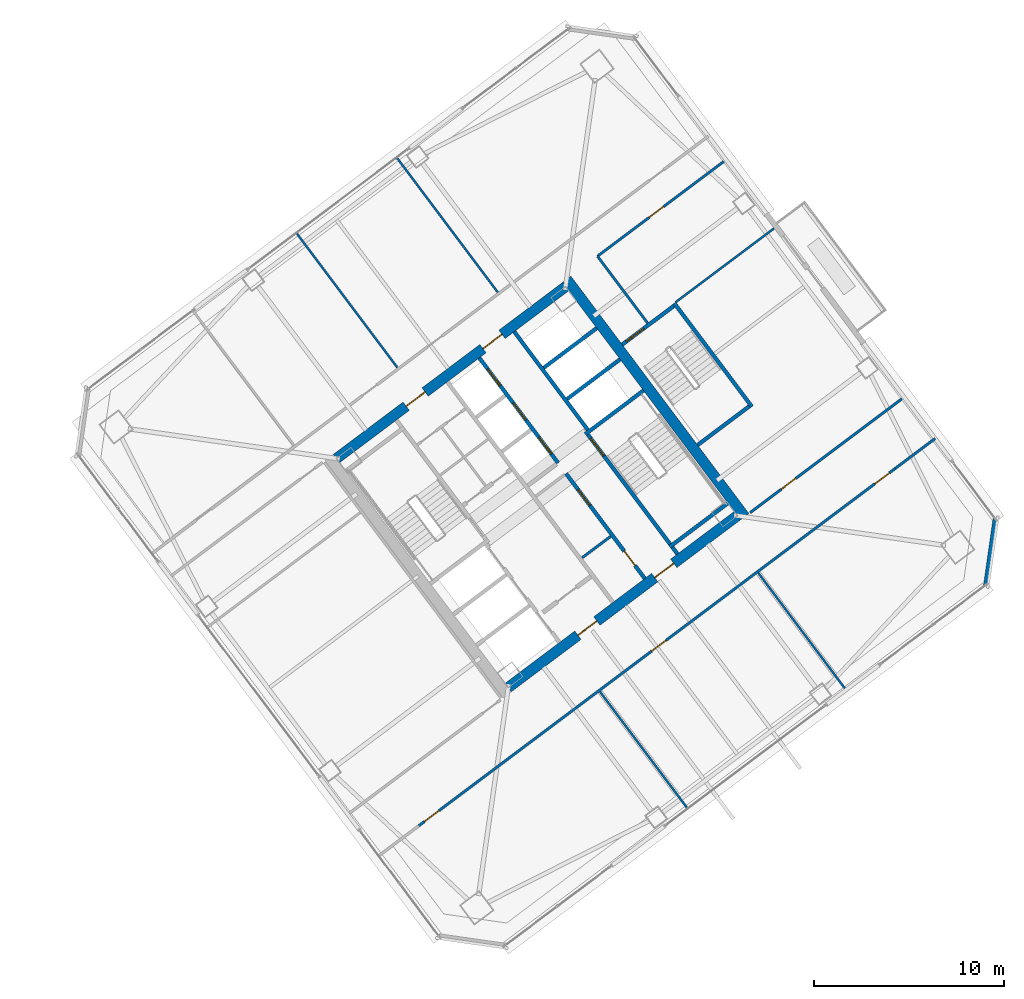
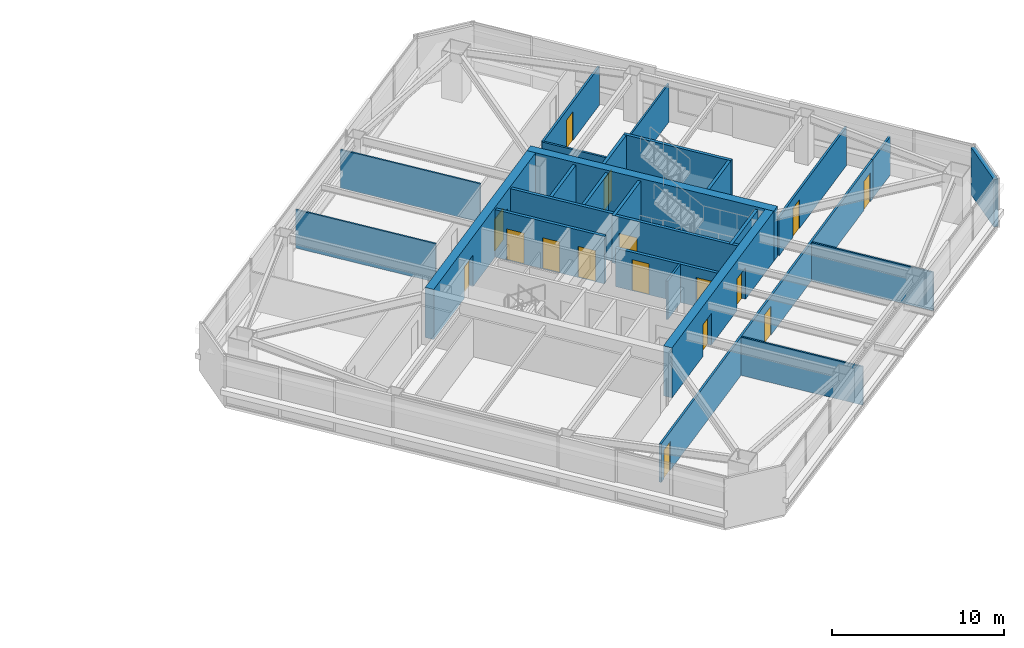
# One storey, part 38 of 46: 26 walls, 16 doors, 16 openings.
"""IFC4 building model written with IfcOpenShell, lengths in metres."""

from ifc_helpers import new_model, si_unit, direction, frame, frame_2d, origin, place, context, subcontext, project, spatial, rectangle, extrude, material, layer, layer_set, type_object, element, fill, save


model = new_model("IFC4")

# Units and contexts
model_context = context("Model", 3, precision=1e-05, world=origin(), true_north=direction((0.0, 1.0)))
body_context = subcontext(model_context, "Body", "Model", "MODEL_VIEW")
ifc_project = project(units=[si_unit("LENGTHUNIT", "METRE"), si_unit("AREAUNIT", "SQUARE_METRE"), si_unit("VOLUMEUNIT", "CUBIC_METRE"), si_unit("PLANEANGLEUNIT", "RADIAN"), si_unit("MASSUNIT", "GRAM", prefix="KILO")], contexts=[model_context])

# Site, building, storey
site_placement = place(None, origin())
site = spatial("IfcSite", under=ifc_project, at=site_placement, CompositionType="ELEMENT")
building_placement = place(site_placement, origin())
building = spatial("IfcBuilding", under=site, at=building_placement, Name="Tashvorn Skyway Center", CompositionType="ELEMENT")
storey_placement = place(building_placement, frame((0.0, 0.0, 132.14990234375)))
storey = spatial("IfcBuildingStorey", under=building, at=storey_placement, Name="L35", CompositionType="ELEMENT", Elevation=132.14990234375)

# Wall
ifc_material_1 = material(Name="Concrete C60/75", Category="concrete")
ifc_layer_1 = layer(ifc_material_1, 0.550048828125)
ifc_layer_set_1 = layer_set([ifc_layer_1], Name="Concrete C60/75")
wall_type_1 = type_object("IfcWallType", Name="WALL-CORE-550", PredefinedType="SHEAR", material=ifc_layer_set_1)
wall_1_placement = place(storey_placement, frame((115.56396484375, 42.923095703125, 0.0), z_axis=(0.0, 0.0, 1.0), x_axis=(0.600005007985, -0.799996243986, 0.0)))
element("IfcWall", 1, at=wall_1_placement, inside=storey, type_object=wall_type_1, Name="Tower 2 L35 East Core Shear Wall", PredefinedType="SHEAR", context=body_context, shape_type="SweptSolid", body=[
    extrude(rectangle(XDim=15.60009765625, YDim=0.550048828125, at=frame_2d((7.800048828125, 0.0))), origin(), (0.0, 0.0, 1.0), 3.550048828125),
])

# Wall, openings, doors
wall_2_placement = place(storey_placement, frame((124.5390625, 30.498046875, 0.0), z_axis=(0.0, 0.0, 1.0), x_axis=(-0.799998054672, -0.600002593761, 0.0)))
wall_2 = element("IfcWall", 2, at=wall_2_placement, inside=storey, type_object=wall_type_1, Name="Tower 2 L35 South Core Shear Wall", PredefinedType="SHEAR", context=body_context, shape_type="SweptSolid", body=[
    extrude(rectangle(XDim=15.06005859375, YDim=0.550048828125, at=frame_2d((7.530029296875, 0.0))), origin(), (0.0, 0.0, 1.0), 3.550048828125),
])
opening_1_placement = place(wall_2_placement, frame((9.22998046875, 0.0, 0.0)))
opening_1 = element("IfcOpeningElement", 3, at=opening_1_placement, cuts=wall_2, Name="Opening D-FFL-1250", PredefinedType="OPENING", context=body_context, shape_type="SweptSolid", body=[
    extrude(rectangle(XDim=1.25, YDim=2.25, at=frame_2d((0.625, 1.125))), frame((0.0, 0.284912109375, 0.0), z_axis=(0.0, -1.0, 0.0), x_axis=(1.0, 0.0, 0.0)), (0.0, 0.0, 1.0), 0.570068359375),
])
opening_2_placement = place(wall_2_placement, frame((4.179931640625, 0.0, 0.0)))
opening_2 = element("IfcOpeningElement", 4, at=opening_2_placement, cuts=wall_2, Name="Opening D-FFL-1250", PredefinedType="OPENING", context=body_context, shape_type="SweptSolid", body=[
    extrude(rectangle(XDim=1.25, YDim=2.25, at=frame_2d((0.625, 1.125))), frame((0.0, 0.284912109375, 0.0), z_axis=(0.0, -1.0, 0.0), x_axis=(1.0, 0.0, 0.0)), (0.0, 0.0, 1.0), 0.570068359375),
])
ifc_material_2 = material(Name="Hollow galvanized steel fire door assembly", Category="steel")
door_type_1 = type_object("IfcDoorType", Name="DOOR-FFL-1250", OperationType="NOTDEFINED", PredefinedType="DOOR", material=ifc_material_2)
door_1_placement = place(opening_1_placement, origin())
door_1 = element("IfcDoor", 5, at=door_1_placement, inside=storey, type_object=door_type_1, Name="Tower 2 L35 Core South Firefighting Exit Door", OperationType="SINGLE_SWING_LEFT", OverallHeight=2.25, OverallWidth=1.25, PredefinedType="DOOR", context=body_context, shape_type="SweptSolid", body=[
    extrude(rectangle(XDim=1.25, YDim=2.25, at=frame_2d((0.625, 1.125))), frame((0.0, 0.02490234375, 0.0), z_axis=(0.0, -1.0, 0.0), x_axis=(1.0, 0.0, 0.0)), (0.0, 0.0, 1.0), 0.050048828125),
])
fill(opening_1, door_1)
door_2_placement = place(opening_2_placement, origin())
door_2 = element("IfcDoor", 6, at=door_2_placement, inside=storey, type_object=door_type_1, Name="Tower 2 L35 Core South Lift Lobby Door", OperationType="SINGLE_SWING_RIGHT", OverallHeight=2.25, OverallWidth=1.25, PredefinedType="DOOR", context=body_context, shape_type="SweptSolid", body=[
    extrude(rectangle(XDim=1.25, YDim=2.25, at=frame_2d((0.625, 1.125))), frame((0.0, 0.02490234375, 0.0), z_axis=(0.0, -1.0, 0.0), x_axis=(1.0, 0.0, 0.0)), (0.0, 0.0, 1.0), 0.050048828125),
])
fill(opening_2, door_2)

wall_3_placement = place(storey_placement, frame((103.4609375, 33.501953125, 0.0), z_axis=(0.0, 0.0, 1.0), x_axis=(0.799998054672, 0.600002593761, 0.0)))
wall_3 = element("IfcWall", 7, at=wall_3_placement, inside=storey, type_object=wall_type_1, Name="Tower 2 L35 North Core Shear Wall", PredefinedType="SHEAR", context=body_context, shape_type="SweptSolid", body=[
    extrude(rectangle(XDim=15.06005859375, YDim=0.550048828125, at=frame_2d((7.530029296875, 0.0))), origin(), (0.0, 0.0, 1.0), 3.550048828125),
])
opening_3_placement = place(wall_3_placement, frame((4.580078125, 0.0, 0.0)))
opening_3 = element("IfcOpeningElement", 8, at=opening_3_placement, cuts=wall_3, Name="Opening D-FFL-1250", PredefinedType="OPENING", context=body_context, shape_type="SweptSolid", body=[
    extrude(rectangle(XDim=1.25, YDim=2.25, at=frame_2d((0.625, 1.125))), frame((0.0, 0.284912109375, 0.0), z_axis=(0.0, -1.0, 0.0), x_axis=(1.0, 0.0, 0.0)), (0.0, 0.0, 1.0), 0.570068359375),
])
opening_4_placement = place(wall_3_placement, frame((9.6298828125, 0.0, 0.0)))
opening_4 = element("IfcOpeningElement", 9, at=opening_4_placement, cuts=wall_3, Name="Opening D-FFL-1250", PredefinedType="OPENING", context=body_context, shape_type="SweptSolid", body=[
    extrude(rectangle(XDim=1.25, YDim=2.25, at=frame_2d((0.625, 1.125))), frame((0.0, 0.284912109375, 0.0), z_axis=(0.0, -1.0, 0.0), x_axis=(1.0, 0.0, 0.0)), (0.0, 0.0, 1.0), 0.570068359375),
])
door_3_placement = place(opening_3_placement, origin())
door_3 = element("IfcDoor", 10, at=door_3_placement, inside=storey, type_object=door_type_1, Name="Tower 2 L35 Core North Service Lobby Door", OperationType="SINGLE_SWING_LEFT", OverallHeight=2.25, OverallWidth=1.25, PredefinedType="DOOR", context=body_context, shape_type="SweptSolid", body=[
    extrude(rectangle(XDim=1.25, YDim=2.25, at=frame_2d((0.625, 1.125))), frame((0.0, 0.02490234375, 0.0), z_axis=(0.0, -1.0, 0.0), x_axis=(1.0, 0.0, 0.0)), (0.0, 0.0, 1.0), 0.050048828125),
])
fill(opening_3, door_3)
door_4_placement = place(opening_4_placement, origin())
door_4 = element("IfcDoor", 11, at=door_4_placement, inside=storey, type_object=door_type_1, Name="Tower 2 L35 Core North Lift Lobby Door", OperationType="SINGLE_SWING_RIGHT", OverallHeight=2.25, OverallWidth=1.25, PredefinedType="DOOR", context=body_context, shape_type="SweptSolid", body=[
    extrude(rectangle(XDim=1.25, YDim=2.25, at=frame_2d((0.625, 1.125))), frame((0.0, 0.02490234375, 0.0), z_axis=(0.0, -1.0, 0.0), x_axis=(1.0, 0.0, 0.0)), (0.0, 0.0, 1.0), 0.050048828125),
])
fill(opening_4, door_4)

# Walls
ifc_material_3 = material(Name="Precast concrete C40/50", Category="concrete")
ifc_layer_2 = layer(ifc_material_3, 0.280029296875)
ifc_layer_set_2 = layer_set([ifc_layer_2], Name="Precast concrete C40/50")
wall_type_2 = type_object("IfcWallType", Name="WALL-EXT-280", PredefinedType="SOLIDWALL", material=ifc_layer_set_2)
wall_4_placement = place(storey_placement, frame((138.1201171875, 30.340087890625, 0.0), z_axis=(0.0, 0.0, 1.0), x_axis=(-0.141421356237, -0.989949493661, 0.0)))
element("IfcWall", 12, at=wall_4_placement, inside=storey, type_object=wall_type_2, Name="Tower 2 L35 SE Precast Chamfer Wall", PredefinedType="SOLIDWALL", context=body_context, shape_type="SweptSolid", body=[
    extrude(rectangle(XDim=3.53564453125, YDim=0.280029296875, at=frame_2d((1.767822265625, 0.0))), origin(), (0.0, 0.0, 1.0), 3.3701171875),
])
ifc_material_4 = material(Name="Gypsum board on cold-formed steel stud framing", Category="steel")
ifc_layer_3 = layer(ifc_material_4, 0.110107421875)
ifc_layer_set_3 = layer_set([ifc_layer_3], Name="Gypsum board on cold-formed steel stud framing")
wall_type_3 = type_object("IfcWallType", Name="WALL-PART-110", PredefinedType="PARTITIONING", material=ifc_layer_set_3)
wall_5_placement = place(storey_placement, frame((106.662109375, 38.283935546875, 0.0), z_axis=(0.0, 0.0, 1.0), x_axis=(-0.6, 0.8, 0.0)))
element("IfcWall", 13, at=wall_5_placement, inside=storey, type_object=wall_type_3, Name="Tower 2 L35 North Suite Partition 2", PredefinedType="PARTITIONING", context=body_context, shape_type="SweptSolid", body=[
    extrude(rectangle(XDim=8.85009765625, YDim=0.110107421875, at=frame_2d((4.425048828125, 0.0))), origin(), (0.0, 0.0, 1.0), 2.72314453125),
])
wall_6_placement = place(storey_placement, frame((111.94189453125, 42.243896484375, 0.0), z_axis=(0.0, 0.0, 1.0), x_axis=(-0.599982344389, 0.800013241404, 0.0)))
element("IfcWall", 14, at=wall_6_placement, inside=storey, type_object=wall_type_3, Name="Tower 2 L35 North Suite Partition 3", PredefinedType="PARTITIONING", context=body_context, shape_type="SweptSolid", body=[
    extrude(rectangle(XDim=8.849853515625, YDim=0.110107421875, at=frame_2d((4.4248046875, 0.0))), origin(), (0.0, 0.0, 1.0), 2.72314453125),
])
wall_7_placement = place(storey_placement, frame((121.927978515625, 15.095947265625, 0.0), z_axis=(0.0, 0.0, 1.0), x_axis=(-0.5999898274, 0.800007629349, 0.0)))
element("IfcWall", 15, at=wall_7_placement, inside=storey, type_object=wall_type_3, Name="Tower 2 L35 South Suite Partition 1", PredefinedType="PARTITIONING", context=body_context, shape_type="SweptSolid", body=[
    extrude(rectangle(XDim=7.679931640625, YDim=0.110107421875, at=frame_2d((3.83984375, 0.0))), origin(), (0.0, 0.0, 1.0), 2.72314453125),
])
wall_8_placement = place(storey_placement, frame((130.248046875, 21.3359375, 0.0), z_axis=(0.0, 0.0, 1.0), x_axis=(-0.600010172309, 0.799992370667, 0.0)))
element("IfcWall", 16, at=wall_8_placement, inside=storey, type_object=wall_type_3, Name="Tower 2 L35 South Suite Partition 2", PredefinedType="PARTITIONING", context=body_context, shape_type="SweptSolid", body=[
    extrude(rectangle(XDim=7.68017578125, YDim=0.110107421875, at=frame_2d((3.840087890625, 0.0))), origin(), (0.0, 0.0, 1.0), 2.72314453125),
])
wall_9_placement = place(storey_placement, frame((126.464111328125, 45.597900390625, 0.0), z_axis=(0.0, 0.0, 1.0), x_axis=(-0.8000181681, -0.599975775102, 0.0)))
element("IfcWall", 17, at=wall_9_placement, inside=storey, type_object=wall_type_3, Name="Tower 2 L35 East Suite Partition 1", PredefinedType="PARTITIONING", context=body_context, shape_type="SweptSolid", body=[
    extrude(rectangle(XDim=6.449951171875, YDim=0.110107421875, at=frame_2d((3.22509765625, 0.0))), origin(), (0.0, 0.0, 1.0), 2.72314453125),
])
ifc_layer_4 = layer(ifc_material_4, 0.135009765625)
ifc_layer_set_4 = layer_set([ifc_layer_4], Name="Gypsum board on cold-formed steel stud framing")
wall_type_4 = type_object("IfcWallType", Name="WALL-PART-135", PredefinedType="PARTITIONING", material=ifc_layer_set_4)
wall_10_placement = place(storey_placement, frame((119.823974609375, 40.617919921875, 0.0), z_axis=(0.0, 0.0, 1.0), x_axis=(-0.599982243973, 0.800013316712, 0.0)))
element("IfcWall", 18, at=wall_10_placement, inside=storey, type_object=wall_type_4, Name="Tower 2 L35 Stair 3 Access Corridor Wall", PredefinedType="PARTITIONING", context=body_context, shape_type="SweptSolid", body=[
    extrude(rectangle(XDim=4.39990234375, YDim=0.135009765625, at=frame_2d((2.199951171875, 0.0))), origin(), (0.0, 0.0, 1.0), 2.72314453125),
])

# Wall, openings, doors
wall_11_placement = place(storey_placement, frame((132.83203125, 32.97412109375, 0.0), z_axis=(0.0, 0.0, 1.0), x_axis=(-0.8, -0.6, 0.0)))
wall_11 = element("IfcWall", 19, at=wall_11_placement, inside=storey, type_object=wall_type_4, Name="Tower 2 L35 South Suite Wall", PredefinedType="PARTITIONING", context=body_context, shape_type="SweptSolid", body=[
    extrude(rectangle(XDim=31.300048828125, YDim=0.135009765625, at=frame_2d((15.64990234375, 0.0))), origin(), (0.0, 0.0, 1.0), 2.72314453125),
])
opening_5_placement = place(wall_11_placement, frame((29.969970703125, 0.0, 0.0)))
opening_5 = element("IfcOpeningElement", 20, at=opening_5_placement, cuts=wall_11, Name="Opening D-INT-950", PredefinedType="OPENING", context=body_context, shape_type="SweptSolid", body=[
    extrude(rectangle(XDim=0.949951171875, YDim=2.050048828125, at=frame_2d((0.47509765625, 1.02490234375))), frame((0.0, 0.077392578125, 0.0), z_axis=(0.0, -1.0, 0.0), x_axis=(1.0, 0.0, 0.0)), (0.0, 0.0, 1.0), 0.155029296875),
])
opening_6_placement = place(wall_11_placement, frame((15.052978515625, 0.0, 0.0)))
opening_6 = element("IfcOpeningElement", 21, at=opening_6_placement, cuts=wall_11, Name="Opening D-INT-950", PredefinedType="OPENING", context=body_context, shape_type="SweptSolid", body=[
    extrude(rectangle(XDim=0.949951171875, YDim=2.050048828125, at=frame_2d((0.47509765625, 1.02490234375))), frame((0.0, 0.077392578125, 0.0), z_axis=(0.0, -1.0, 0.0), x_axis=(1.0, 0.0, 0.0)), (0.0, 0.0, 1.0), 0.155029296875),
])
opening_7_placement = place(wall_11_placement, frame((0.3798828125, 0.0, 0.0)))
opening_7 = element("IfcOpeningElement", 22, at=opening_7_placement, cuts=wall_11, Name="Opening D-INT-950", PredefinedType="OPENING", context=body_context, shape_type="SweptSolid", body=[
    extrude(rectangle(XDim=0.949951171875, YDim=2.050048828125, at=frame_2d((0.47509765625, 1.02490234375))), frame((0.0, 0.077392578125, 0.0), z_axis=(0.0, -1.0, 0.0), x_axis=(1.0, 0.0, 0.0)), (0.0, 0.0, 1.0), 0.155029296875),
])
ifc_material_5 = material(Name="Solid-core architectural oak veneer door")
door_type_2 = type_object("IfcDoorType", Name="DOOR-INT-950", OperationType="NOTDEFINED", PredefinedType="DOOR", material=ifc_material_5)
door_5_placement = place(opening_5_placement, origin())
door_5 = element("IfcDoor", 23, at=door_5_placement, inside=storey, type_object=door_type_2, Name="Tower 2 L35 Conference Room Door", OperationType="SINGLE_SWING_LEFT", OverallHeight=2.050048828125, OverallWidth=0.949951171875, PredefinedType="DOOR", context=body_context, shape_type="SweptSolid", body=[
    extrude(rectangle(XDim=0.949951171875, YDim=2.050048828125, at=frame_2d((0.47509765625, 1.02490234375))), frame((0.0, 0.02490234375, 0.0), z_axis=(0.0, -1.0, 0.0), x_axis=(1.0, 0.0, 0.0)), (0.0, 0.0, 1.0), 0.050048828125),
])
fill(opening_5, door_5)
door_6_placement = place(opening_6_placement, origin())
door_6 = element("IfcDoor", 24, at=door_6_placement, inside=storey, type_object=door_type_2, Name="Tower 2 L35 Design Studio Door", OperationType="SINGLE_SWING_RIGHT", OverallHeight=2.050048828125, OverallWidth=0.949951171875, PredefinedType="DOOR", context=body_context, shape_type="SweptSolid", body=[
    extrude(rectangle(XDim=0.949951171875, YDim=2.050048828125, at=frame_2d((0.47509765625, 1.02490234375))), frame((0.0, 0.02490234375, 0.0), z_axis=(0.0, -1.0, 0.0), x_axis=(1.0, 0.0, 0.0)), (0.0, 0.0, 1.0), 0.050048828125),
])
fill(opening_6, door_6)
door_7_placement = place(opening_7_placement, origin())
door_7 = element("IfcDoor", 25, at=door_7_placement, inside=storey, type_object=door_type_2, Name="Tower 2 L35 Design Studio Door", OperationType="SINGLE_SWING_LEFT", OverallHeight=2.050048828125, OverallWidth=0.949951171875, PredefinedType="DOOR", context=body_context, shape_type="SweptSolid", body=[
    extrude(rectangle(XDim=0.949951171875, YDim=2.050048828125, at=frame_2d((0.47509765625, 1.02490234375))), frame((0.0, 0.02490234375, 0.0), z_axis=(0.0, -1.0, 0.0), x_axis=(1.0, 0.0, 0.0)), (0.0, 0.0, 1.0), 0.050048828125),
])
fill(opening_7, door_7)

# Wall
wall_12_placement = place(storey_placement, frame((132.83203125, 32.97412109375, 0.0), z_axis=(0.0, 0.0, 1.0), x_axis=(0.80002227902, 0.599970293491, 0.0)))
element("IfcWall", 26, at=wall_12_placement, inside=storey, type_object=wall_type_4, Name="Tower 2 L35 South-East Suite North Wall", PredefinedType="PARTITIONING", context=body_context, shape_type="SweptSolid", body=[
    extrude(rectangle(XDim=2.6298828125, YDim=0.135009765625, at=frame_2d((1.31494140625, 0.0))), origin(), (0.0, 0.0, 1.0), 2.72314453125),
])

# Wall, opening, door
wall_13_placement = place(storey_placement, frame((123.823974609375, 49.117919921875, 0.0), z_axis=(0.0, 0.0, 1.0), x_axis=(-0.799996470201, -0.60000470637, 0.0)))
wall_13 = element("IfcWall", 27, at=wall_13_placement, inside=storey, type_object=wall_type_4, Name="Tower 2 L35 East Suite North Wall", PredefinedType="PARTITIONING", context=body_context, shape_type="SweptSolid", body=[
    extrude(rectangle(XDim=8.2998046875, YDim=0.135009765625, at=frame_2d((4.14990234375, 0.0))), origin(), (0.0, 0.0, 1.0), 2.72314453125),
])
opening_8_placement = place(wall_13_placement, frame((3.949951171875, 0.0, 0.0)))
opening_8 = element("IfcOpeningElement", 28, at=opening_8_placement, cuts=wall_13, Name="Opening D-INT-950", PredefinedType="OPENING", context=body_context, shape_type="SweptSolid", body=[
    extrude(rectangle(XDim=0.949951171875, YDim=2.050048828125, at=frame_2d((0.47509765625, 1.02490234375))), frame((0.0, 0.077392578125, 0.0), z_axis=(0.0, -1.0, 0.0), x_axis=(1.0, 0.0, 0.0)), (0.0, 0.0, 1.0), 0.155029296875),
])
door_8_placement = place(opening_8_placement, origin())
door_8 = element("IfcDoor", 29, at=door_8_placement, inside=storey, type_object=door_type_2, Name="Tower 2 L35 Gallery Showroom Door", OperationType="SINGLE_SWING_RIGHT", OverallHeight=2.050048828125, OverallWidth=0.949951171875, PredefinedType="DOOR", context=body_context, shape_type="SweptSolid", body=[
    extrude(rectangle(XDim=0.949951171875, YDim=2.050048828125, at=frame_2d((0.47509765625, 1.02490234375))), frame((0.0, 0.02490234375, 0.0), z_axis=(0.0, -1.0, 0.0), x_axis=(1.0, 0.0, 0.0)), (0.0, 0.0, 1.0), 0.050048828125),
])
fill(opening_8, door_8)

wall_14_placement = place(storey_placement, frame((125.2080078125, 30.656005859375, 0.0), z_axis=(0.0, 0.0, 1.0), x_axis=(0.800005876956, 0.599992163979, 0.0)))
wall_14 = element("IfcWall", 30, at=wall_14_placement, inside=storey, type_object=wall_type_4, Name="Tower 2 L35 East Suite South Wall", PredefinedType="PARTITIONING", context=body_context, shape_type="SweptSolid", body=[
    extrude(rectangle(XDim=9.969970703125, YDim=0.135009765625, at=frame_2d((4.98486328125, 0.0))), origin(), (0.0, 0.0, 1.0), 2.72314453125),
])
opening_9_placement = place(wall_14_placement, frame((2.044921875, 0.0, 0.0)))
opening_9 = element("IfcOpeningElement", 31, at=opening_9_placement, cuts=wall_14, Name="Opening D-INT-950", PredefinedType="OPENING", context=body_context, shape_type="SweptSolid", body=[
    extrude(rectangle(XDim=0.949951171875, YDim=2.050048828125, at=frame_2d((0.47509765625, 1.02490234375))), frame((0.0, 0.077392578125, 0.0), z_axis=(0.0, -1.0, 0.0), x_axis=(1.0, 0.0, 0.0)), (0.0, 0.0, 1.0), 0.155029296875),
])
door_9_placement = place(opening_9_placement, origin())
door_9 = element("IfcDoor", 32, at=door_9_placement, inside=storey, type_object=door_type_2, Name="Tower 2 L35 Public Restroom Door", OperationType="SINGLE_SWING_LEFT", OverallHeight=2.050048828125, OverallWidth=0.949951171875, PredefinedType="DOOR", context=body_context, shape_type="SweptSolid", body=[
    extrude(rectangle(XDim=0.949951171875, YDim=2.050048828125, at=frame_2d((0.47509765625, 1.02490234375))), frame((0.0, 0.02490234375, 0.0), z_axis=(0.0, -1.0, 0.0), x_axis=(1.0, 0.0, 0.0)), (0.0, 0.0, 1.0), 0.050048828125),
])
fill(opening_9, door_9)

# Walls
ifc_layer_5 = layer(ifc_material_4, 0.135009765625)
ifc_layer_set_5 = layer_set([ifc_layer_5], Name="Gypsum board on cold-formed steel stud framing")
wall_type_5 = type_object("IfcWallType", Name="WALL-RATED-135", PredefinedType="PARTITIONING", material=ifc_layer_set_5)
wall_15_placement = place(storey_placement, frame((116.3759765625, 28.281982421875, 0.0), z_axis=(0.0, 0.0, 1.0), x_axis=(0.8, 0.6, 0.0)))
element("IfcWall", 33, at=wall_15_placement, inside=storey, type_object=wall_type_5, Name="Tower 2 L35 Freed Core Partition", PredefinedType="PARTITIONING", context=body_context, shape_type="SweptSolid", body=[
    extrude(rectangle(XDim=1.8798828125, YDim=0.135009765625, at=frame_2d((0.93994140625, 0.0))), origin(), (0.0, 0.0, 1.0), 2.72314453125),
])
ifc_material_6 = material(Name="Concrete C40/50", Category="concrete")
ifc_layer_6 = layer(ifc_material_6, 0.199951171875)
ifc_layer_set_6 = layer_set([ifc_layer_6], Name="Concrete C40/50")
wall_type_6 = type_object("IfcWallType", Name="WALL-SHAFT-200", PredefinedType="SOLIDWALL", material=ifc_layer_set_6)
for number, where, z_axis, x_axis, name in (
    (34, (115.590087890625, 36.6298828125, 0.0), (0.0, 0.0, 1.0), (0.799974743577, 0.600033673754, 0.0), "Tower 2 L35 High-Rise Shaft Divider"),
    (35, (114.360107421875, 38.27001953125, 0.0), (0.0, 0.0, 1.0), (0.800008418847, 0.599988774707, 0.0), "Tower 2 L35 High-Rise Shaft Divider"),
):
    element("IfcWall", number, at=place(storey_placement, frame(where, z_axis=z_axis, x_axis=x_axis)), inside=storey, type_object=wall_type_6, Name=name, PredefinedType="SOLIDWALL", context=body_context, shape_type="SweptSolid", body=[
        extrude(rectangle(XDim=3.47998046875, YDim=0.199951171875, at=frame_2d((1.739990234375, 0.0))), origin(), (0.0, 0.0, 1.0), 3.3701171875),
    ])

# Wall, openings, doors
wall_16_placement = place(storey_placement, frame((119.669921875, 27.18994140625, 0.0), z_axis=(0.0, 0.0, 1.0), x_axis=(-0.599988677396, 0.800008491828, 0.0)))
wall_16 = element("IfcWall", 36, at=wall_16_placement, inside=storey, type_object=wall_type_6, Name="Tower 2 L35 Low-Rise Core Wall", PredefinedType="SOLIDWALL", context=body_context, shape_type="SweptSolid", body=[
    extrude(rectangle(XDim=6.89990234375, YDim=0.199951171875, at=frame_2d((3.449951171875, 0.0))), origin(), (0.0, 0.0, 1.0), 2.72314453125),
])
opening_10_placement = place(wall_16_placement, frame((0.85009765625, 0.0, 0.0)))
opening_10 = element("IfcOpeningElement", 37, at=opening_10_placement, cuts=wall_16, Name="Opening D-RT-950", PredefinedType="OPENING", context=body_context, shape_type="SweptSolid", body=[
    extrude(rectangle(XDim=0.949951171875, YDim=2.050048828125, at=frame_2d((0.47509765625, 1.02490234375))), frame((0.0, 0.10986328125, 0.0), z_axis=(0.0, -1.0, 0.0), x_axis=(1.0, 0.0, 0.0)), (0.0, 0.0, 1.0), 0.219970703125),
])
opening_11_placement = place(wall_16_placement, frame((4.800048828125, 0.0, 0.0)))
opening_11 = element("IfcOpeningElement", 38, at=opening_11_placement, cuts=wall_16, Name="Opening D-RT-1050", PredefinedType="OPENING", context=body_context, shape_type="SweptSolid", body=[
    extrude(rectangle(XDim=1.050048828125, YDim=2.199951171875, at=frame_2d((0.52490234375, 1.10009765625))), frame((0.0, 0.10986328125, 0.0), z_axis=(0.0, -1.0, 0.0), x_axis=(1.0, 0.0, 0.0)), (0.0, 0.0, 1.0), 0.219970703125),
])
door_type_3 = type_object("IfcDoorType", Name="DOOR-RATED-1050", OperationType="NOTDEFINED", PredefinedType="DOOR", material=ifc_material_2)
door_10_placement = place(opening_11_placement, origin())
door_10 = element("IfcDoor", 39, at=door_10_placement, inside=storey, type_object=door_type_3, Name="Tower 2 L35 Freed Core Room Door", OperationType="SINGLE_SWING_RIGHT", OverallHeight=2.199951171875, OverallWidth=1.050048828125, PredefinedType="DOOR", context=body_context, shape_type="SweptSolid", body=[
    extrude(rectangle(XDim=1.050048828125, YDim=2.199951171875, at=frame_2d((0.52490234375, 1.10009765625))), frame((0.0, 0.02490234375, 0.0), z_axis=(0.0, -1.0, 0.0), x_axis=(1.0, 0.0, 0.0)), (0.0, 0.0, 1.0), 0.050048828125),
])
fill(opening_11, door_10)
door_type_4 = type_object("IfcDoorType", Name="DOOR-RATED-950", OperationType="NOTDEFINED", PredefinedType="DOOR", material=ifc_material_2)
door_11_placement = place(opening_10_placement, origin())
door_11 = element("IfcDoor", 40, at=door_11_placement, inside=storey, type_object=door_type_4, Name="Tower 2 L35 Core Print Room Door", OperationType="SINGLE_SWING_LEFT", OverallHeight=2.050048828125, OverallWidth=0.949951171875, PredefinedType="DOOR", context=body_context, shape_type="SweptSolid", body=[
    extrude(rectangle(XDim=0.949951171875, YDim=2.050048828125, at=frame_2d((0.47509765625, 1.02490234375))), frame((0.0, 0.02490234375, 0.0), z_axis=(0.0, -1.0, 0.0), x_axis=(1.0, 0.0, 0.0)), (0.0, 0.0, 1.0), 0.050048828125),
])
fill(opening_10, door_11)

wall_17_placement = place(storey_placement, frame((115.110107421875, 33.27001953125, 0.0), z_axis=(0.0, 0.0, 1.0), x_axis=(-0.600011322243, 0.799991508192, 0.0)))
wall_17 = element("IfcWall", 41, at=wall_17_placement, inside=storey, type_object=wall_type_6, Name="Tower 2 L35 Mid-Rise Core Wall", PredefinedType="SOLIDWALL", context=body_context, shape_type="SweptSolid", body=[
    extrude(rectangle(XDim=6.900146484375, YDim=0.199951171875, at=frame_2d((3.4501953125, 0.0))), origin(), (0.0, 0.0, 1.0), 3.3701171875),
])
opening_12_placement = place(wall_17_placement, frame((0.574951171875, 0.0, 0.0)))
opening_12 = element("IfcOpeningElement", 42, at=opening_12_placement, cuts=wall_17, Name="Opening LD-MR-T2-1-L35", PredefinedType="OPENING", context=body_context, shape_type="SweptSolid", body=[
    extrude(rectangle(XDim=1.10009765625, YDim=2.199951171875, at=frame_2d((0.550048828125, 1.10009765625))), frame((0.0, 0.10986328125, 0.0), z_axis=(0.0, -1.0, 0.0), x_axis=(1.0, 0.0, 0.0)), (0.0, 0.0, 1.0), 0.219970703125),
])
opening_13_placement = place(wall_17_placement, frame((2.824951171875, 0.0, 0.0)))
opening_13 = element("IfcOpeningElement", 43, at=opening_13_placement, cuts=wall_17, Name="Opening LD-MR-T2-2-L35", PredefinedType="OPENING", context=body_context, shape_type="SweptSolid", body=[
    extrude(rectangle(XDim=1.10009765625, YDim=2.199951171875, at=frame_2d((0.550048828125, 1.10009765625))), frame((0.0, 0.10986328125, 0.0), z_axis=(0.0, -1.0, 0.0), x_axis=(1.0, 0.0, 0.0)), (0.0, 0.0, 1.0), 0.219970703125),
])
opening_14_placement = place(wall_17_placement, frame((5.074951171875, 0.0, 0.0)))
opening_14 = element("IfcOpeningElement", 44, at=opening_14_placement, cuts=wall_17, Name="Opening LD-MR-T2-3-L35", PredefinedType="OPENING", context=body_context, shape_type="SweptSolid", body=[
    extrude(rectangle(XDim=1.10009765625, YDim=2.199951171875, at=frame_2d((0.550048828125, 1.10009765625))), frame((0.0, 0.10986328125, 0.0), z_axis=(0.0, -1.0, 0.0), x_axis=(1.0, 0.0, 0.0)), (0.0, 0.0, 1.0), 0.219970703125),
])
ifc_material_7 = material(Name="Stainless steel landing door", Category="steel")
door_type_5 = type_object("IfcDoorType", Name="DOOR-LIFT-1100", OperationType="SLIDING_TO_LEFT", PredefinedType="DOOR", material=ifc_material_7)
door_12_placement = place(opening_12_placement, origin())
door_12 = element("IfcDoor", 45, at=door_12_placement, inside=storey, type_object=door_type_5, Name="Lift MR-T2-1 L35 Landing Door", OperationType="SLIDING_TO_LEFT", OverallHeight=2.199951171875, OverallWidth=1.10009765625, PredefinedType="DOOR", context=body_context, shape_type="SweptSolid", body=[
    extrude(rectangle(XDim=1.10009765625, YDim=2.199951171875, at=frame_2d((0.550048828125, 1.10009765625))), frame((0.0, 0.02490234375, 0.0), z_axis=(0.0, -1.0, 0.0), x_axis=(1.0, 0.0, 0.0)), (0.0, 0.0, 1.0), 0.050048828125),
])
fill(opening_12, door_12)
door_13_placement = place(opening_13_placement, origin())
door_13 = element("IfcDoor", 46, at=door_13_placement, inside=storey, type_object=door_type_5, Name="Lift MR-T2-2 L35 Landing Door", OperationType="SLIDING_TO_LEFT", OverallHeight=2.199951171875, OverallWidth=1.10009765625, PredefinedType="DOOR", context=body_context, shape_type="SweptSolid", body=[
    extrude(rectangle(XDim=1.10009765625, YDim=2.199951171875, at=frame_2d((0.550048828125, 1.10009765625))), frame((0.0, 0.02490234375, 0.0), z_axis=(0.0, -1.0, 0.0), x_axis=(1.0, 0.0, 0.0)), (0.0, 0.0, 1.0), 0.050048828125),
])
fill(opening_13, door_13)
door_14_placement = place(opening_14_placement, origin())
door_14 = element("IfcDoor", 47, at=door_14_placement, inside=storey, type_object=door_type_5, Name="Lift MR-T2-3 L35 Landing Door", OperationType="SLIDING_TO_LEFT", OverallHeight=2.199951171875, OverallWidth=1.10009765625, PredefinedType="DOOR", context=body_context, shape_type="SweptSolid", body=[
    extrude(rectangle(XDim=1.10009765625, YDim=2.199951171875, at=frame_2d((0.550048828125, 1.10009765625))), frame((0.0, 0.02490234375, 0.0), z_axis=(0.0, -1.0, 0.0), x_axis=(1.0, 0.0, 0.0)), (0.0, 0.0, 1.0), 0.050048828125),
])
fill(opening_14, door_14)

# Wall, opening, door
ifc_layer_7 = layer(ifc_material_6, 0.199951171875)
ifc_layer_set_7 = layer_set([ifc_layer_7], Name="Concrete C40/50")
wall_type_7 = type_object("IfcWallType", Name="WALL-STSHF-200", PredefinedType="SHEAR", material=ifc_layer_set_7)
wall_18_placement = place(storey_placement, frame((116.56005859375, 34.919921875, 0.0), z_axis=(0.0, 0.0, 1.0), x_axis=(0.59999029481, -0.8000072788, 0.0)))
wall_18 = element("IfcWall", 48, at=wall_18_placement, inside=storey, type_object=wall_type_7, Name="Tower 2 L35 Stair 2 Enclosure Wall", PredefinedType="SHEAR", context=body_context, shape_type="SweptSolid", body=[
    extrude(rectangle(XDim=8.0498046875, YDim=0.199951171875, at=frame_2d((4.02490234375, 0.0))), origin(), (0.0, 0.0, 1.0), 3.3701171875),
])
opening_15_placement = place(wall_18_placement, frame((0.449951171875, 0.0, 0.0)))
opening_15 = element("IfcOpeningElement", 49, at=opening_15_placement, cuts=wall_18, Name="Opening D-ST-1150", PredefinedType="OPENING", context=body_context, shape_type="SweptSolid", body=[
    extrude(rectangle(XDim=1.14990234375, YDim=2.199951171875, at=frame_2d((0.574951171875, 1.10009765625))), frame((0.0, 0.10986328125, 0.0), z_axis=(0.0, -1.0, 0.0), x_axis=(1.0, 0.0, 0.0)), (0.0, 0.0, 1.0), 0.219970703125),
])
door_type_6 = type_object("IfcDoorType", Name="DOOR-STAIR-1150", OperationType="NOTDEFINED", PredefinedType="DOOR", material=ifc_material_2)
door_15_placement = place(opening_15_placement, origin())
door_15 = element("IfcDoor", 50, at=door_15_placement, inside=storey, type_object=door_type_6, Name="Tower 2 L35 Exit Stair 2 Door", OperationType="SINGLE_SWING_RIGHT", OverallHeight=2.199951171875, OverallWidth=1.14990234375, PredefinedType="DOOR", context=body_context, shape_type="SweptSolid", body=[
    extrude(rectangle(XDim=1.14990234375, YDim=2.199951171875, at=frame_2d((0.574951171875, 1.10009765625))), frame((0.0, 0.02490234375, 0.0), z_axis=(0.0, -1.0, 0.0), x_axis=(1.0, 0.0, 0.0)), (0.0, 0.0, 1.0), 0.050048828125),
])
fill(opening_15, door_15)

# Walls
for number, where, z_axis, x_axis, name in (
    (51, (116.5400390625, 34.780029296875, 0.0), (0.0, 0.0, 1.0), (0.800015298837, 0.599979601008, 0.0), "Tower 2 L35 Stair 2 North Wall"),
    (52, (120.97998046875, 28.860107421875, 0.0), (0.0, 0.0, 1.0), (0.800015298837, 0.599979601008, 0.0), "Tower 2 L35 Stair 2 South Wall"),
):
    element("IfcWall", number, at=place(storey_placement, frame(where, z_axis=z_axis, x_axis=x_axis)), inside=storey, type_object=wall_type_7, Name=name, PredefinedType="SHEAR", context=body_context, shape_type="SweptSolid", body=[
        extrude(rectangle(XDim=3.829833984375, YDim=0.199951171875, at=frame_2d((1.9150390625, 0.0))), origin(), (0.0, 0.0, 1.0), 3.3701171875),
    ])
wall_19_placement = place(storey_placement, frame((112.81005859375, 40.169921875, 0.0), z_axis=(0.0, 0.0, 1.0), x_axis=(0.599993943644, -0.800004542231, 0.0)))
element("IfcWall", 53, at=wall_19_placement, inside=storey, type_object=wall_type_7, Name="Tower 2 L35 High-Rise Lift Shaft Front Wall", PredefinedType="SHEAR", context=body_context, shape_type="SweptSolid", body=[
    extrude(rectangle(XDim=6.449951171875, YDim=0.199951171875, at=frame_2d((3.22509765625, 0.0))), origin(), (0.0, 0.0, 1.0), 3.3701171875),
])
wall_20_placement = place(storey_placement, frame((125.303955078125, 36.22802734375, 0.0), z_axis=(0.0, 0.0, 1.0), x_axis=(-0.59998851072, 0.800008616831, 0.0)))
element("IfcWall", 54, at=wall_20_placement, inside=storey, type_object=wall_type_7, Name="Tower 2 L35 Stair 3 Outer Wall", PredefinedType="SHEAR", context=body_context, shape_type="SweptSolid", body=[
    extrude(rectangle(XDim=6.7998046875, YDim=0.199951171875, at=frame_2d((3.39990234375, 0.0))), origin(), (0.0, 0.0, 1.0), 3.3701171875),
])

# Wall, opening, door
wall_21_placement = place(storey_placement, frame((121.2041015625, 41.528076171875, 0.0), z_axis=(0.0, 0.0, 1.0), x_axis=(-0.800017232136, -0.599977023131, 0.0)))
wall_21 = element("IfcWall", 55, at=wall_21_placement, inside=storey, type_object=wall_type_7, Name="Tower 2 L35 Stair 3 Enclosure Wall", PredefinedType="SHEAR", context=body_context, shape_type="SweptSolid", body=[
    extrude(rectangle(XDim=3.400146484375, YDim=0.199951171875, at=frame_2d((1.7001953125, 0.0))), origin(), (0.0, 0.0, 1.0), 3.3701171875),
])
opening_16_placement = place(wall_21_placement, frame((1.97509765625, 0.0, 0.0)))
opening_16 = element("IfcOpeningElement", 56, at=opening_16_placement, cuts=wall_21, Name="Opening D-ST-1150", PredefinedType="OPENING", context=body_context, shape_type="SweptSolid", body=[
    extrude(rectangle(XDim=1.14990234375, YDim=2.199951171875, at=frame_2d((0.574951171875, 1.10009765625))), frame((0.0, 0.10986328125, 0.0), z_axis=(0.0, -1.0, 0.0), x_axis=(1.0, 0.0, 0.0)), (0.0, 0.0, 1.0), 0.219970703125),
])
door_16_placement = place(opening_16_placement, origin())
door_16 = element("IfcDoor", 57, at=door_16_placement, inside=storey, type_object=door_type_6, Name="Tower 2 L35 Exit Stair 3 Door", OperationType="SINGLE_SWING_RIGHT", OverallHeight=2.199951171875, OverallWidth=1.14990234375, PredefinedType="DOOR", context=body_context, shape_type="SweptSolid", body=[
    extrude(rectangle(XDim=1.14990234375, YDim=2.199951171875, at=frame_2d((0.574951171875, 1.10009765625))), frame((0.0, 0.02490234375, 0.0), z_axis=(0.0, -1.0, 0.0), x_axis=(1.0, 0.0, 0.0)), (0.0, 0.0, 1.0), 0.050048828125),
])
fill(opening_16, door_16)

# Wall
wall_22_placement = place(storey_placement, frame((122.444091796875, 34.2080078125, 0.0), z_axis=(0.0, 0.0, 1.0), x_axis=(0.79999138319, 0.600011488909, 0.0)))
element("IfcWall", 58, at=wall_22_placement, inside=storey, type_object=wall_type_7, Name="Tower 2 L35 Stair 3 South Wall", PredefinedType="SHEAR", context=body_context, shape_type="SweptSolid", body=[
    extrude(rectangle(XDim=3.39990234375, YDim=0.199951171875, at=frame_2d((1.699951171875, 0.0))), origin(), (0.0, 0.0, 1.0), 3.3701171875),
])

save(model, "model.ifc")
